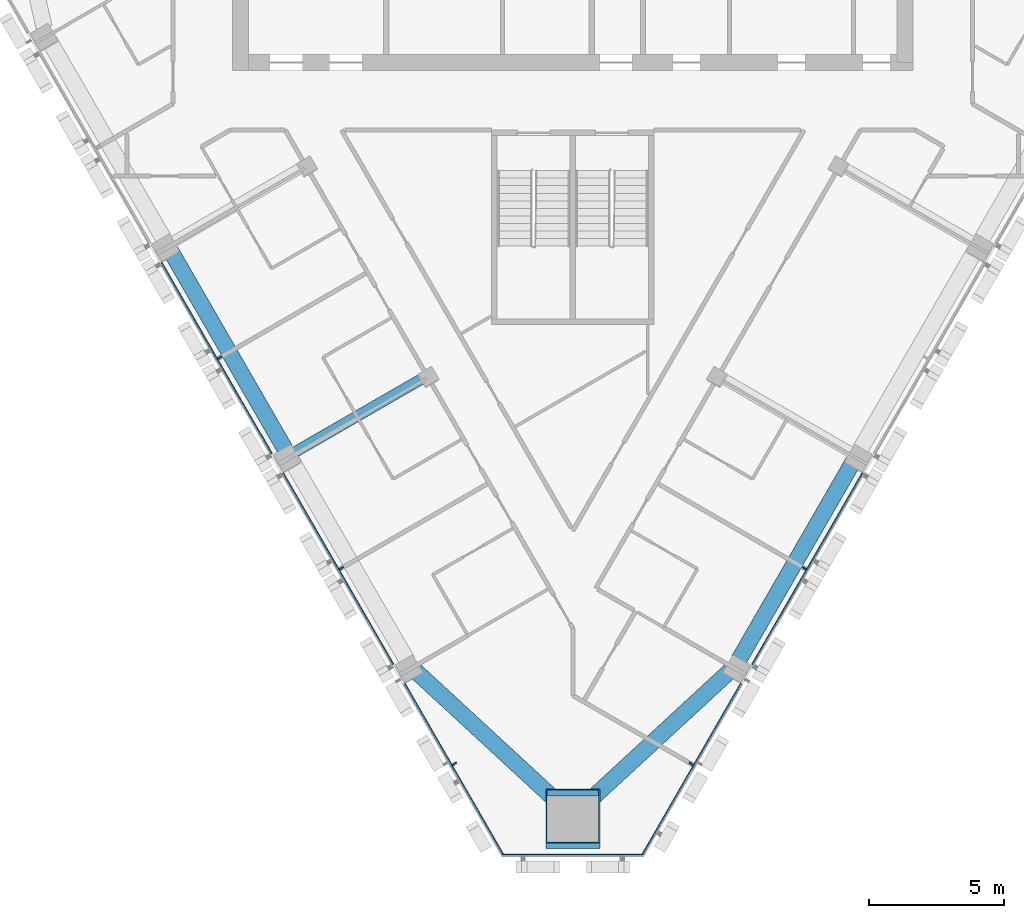
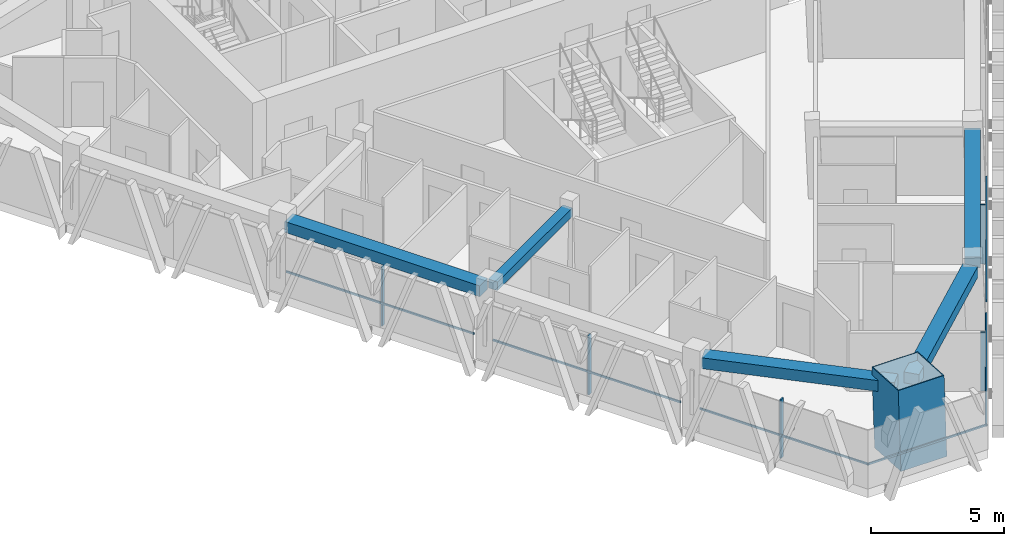
# One storey, part 2 of 15: 12 members, 5 beams, 3 elements without a shape of their own.
"""IFC4 building model written with IfcOpenShell, lengths in metres."""

from ifc_helpers import new_model, si_unit, direction, frame, origin, origin_2d, place, context, subcontext, project, spatial, rectangle, hollow_rectangle, extrude, material, layer, layer_set, material_profile, profile_set, type_object, element, aggregate, save


model = new_model("IFC4")

# Units and contexts
model_context = context("Model", 3, precision=1e-05, world=origin(), true_north=direction((0.0, 1.0)))
body_context = subcontext(model_context, "Body", "Model", "MODEL_VIEW")
ifc_project = project(units=[si_unit("LENGTHUNIT", "METRE"), si_unit("AREAUNIT", "SQUARE_METRE"), si_unit("VOLUMEUNIT", "CUBIC_METRE"), si_unit("PLANEANGLEUNIT", "RADIAN"), si_unit("MASSUNIT", "GRAM", prefix="KILO")], contexts=[model_context])

# Site, building, storey
site_placement = place(None, origin())
site = spatial("IfcSite", under=ifc_project, at=site_placement, CompositionType="ELEMENT")
building_placement = place(site_placement, origin())
building = spatial("IfcBuilding", under=site, at=building_placement, Name="Altiplano Prism Tower", CompositionType="ELEMENT")
storey_placement = place(building_placement, frame((0.0, 0.0, 250.0)))
storey = spatial("IfcBuildingStorey", under=building, at=storey_placement, Name="L64", CompositionType="ELEMENT", Elevation=250.0)

# Curtain wall, members
ifc_material_1 = material(Name="Aluminium and glass", Category="aluminium")
ifc_layer = layer(ifc_material_1, 0.280029296875)
ifc_layer_set = layer_set([ifc_layer], Name="Aluminium and glass")
curtain_wall_type = type_object("IfcCurtainWallType", Name="CW1 typical co-living unitised curtain wall", PredefinedType="NOTDEFINED", material=ifc_layer_set)
curtain_wall_1_placement = place(storey_placement, origin())
curtain_wall_1 = element("IfcCurtainWall", 1, at=curtain_wall_1_placement, inside=storey, type_object=curtain_wall_type, Name="CW1 curtain wall south-west face L64", PredefinedType="NOTDEFINED")
ifc_material_2 = material(Name="Aluminium", Category="aluminium")
ifc_material_profile_1 = material_profile(ifc_material_2, rectangle(XDim=0.179931640625, YDim=0.06494140625, at=origin_2d()), Name="CW1 mullion 65 x 180")
ifc_profile_set_1 = profile_set([ifc_material_profile_1], Name="Aluminium")
member_type_1 = type_object("IfcMemberType", Name="CW1 mullion 65 x 180", PredefinedType="MULLION", material=ifc_profile_set_1)
member_1_placement = place(storey_placement, frame((71.932861328125, 82.17724609375, 0.0), z_axis=(0.0, 0.0, 1.0), x_axis=(0.866025403636, 0.500000000257, 0.0)))
member_1 = element("IfcMember", 2, at=member_1_placement, type_object=member_type_1, Name="CW1 mullion", PredefinedType="MULLION", context=body_context, shape_type="SweptSolid", body=[
    extrude(rectangle(XDim=0.179931640625, YDim=0.06494140625, at=origin_2d()), origin(), (0.0, 0.0, 1.0), 2.699951171875),
])
member_2_placement = place(storey_placement, frame((76.432861328125, 74.3828125, 0.0), z_axis=(0.0, 0.0, 1.0), x_axis=(0.866025403636, 0.500000000257, 0.0)))
member_2 = element("IfcMember", 3, at=member_2_placement, type_object=member_type_1, Name="CW1 mullion", PredefinedType="MULLION", context=body_context, shape_type="SweptSolid", body=[
    extrude(rectangle(XDim=0.179931640625, YDim=0.06494140625, at=origin_2d()), origin(), (0.0, 0.0, 1.0), 2.699951171875),
])
member_3_placement = place(storey_placement, frame((80.61572265625, 67.13818359375, 0.0), z_axis=(0.0, 0.0, 1.0), x_axis=(0.866025403636, 0.500000000257, 0.0)))
member_3 = element("IfcMember", 4, at=member_3_placement, type_object=member_type_1, Name="CW1 mullion", PredefinedType="MULLION", context=body_context, shape_type="SweptSolid", body=[
    extrude(rectangle(XDim=0.179931640625, YDim=0.06494140625, at=origin_2d()), origin(), (0.0, 0.0, 1.0), 2.699951171875),
])

curtain_wall_2_placement = place(storey_placement, origin())
curtain_wall_2 = element("IfcCurtainWall", 5, at=curtain_wall_2_placement, inside=storey, type_object=curtain_wall_type, Name="CW1 curtain wall south-east face L64", PredefinedType="NOTDEFINED")
member_4_placement = place(storey_placement, frame((89.38427734375, 67.13818359375, 0.0), z_axis=(0.0, 0.0, 1.0), x_axis=(-0.866025403636, 0.500000000257, 0.0)))
member_4 = element("IfcMember", 6, at=member_4_placement, type_object=member_type_1, Name="CW1 mullion", PredefinedType="MULLION", context=body_context, shape_type="SweptSolid", body=[
    extrude(rectangle(XDim=0.179931640625, YDim=0.06494140625, at=origin_2d()), origin(), (0.0, 0.0, 1.0), 2.699951171875),
])
member_5_placement = place(storey_placement, frame((93.567138671875, 74.3828125, 0.0), z_axis=(0.0, 0.0, 1.0), x_axis=(-0.866025403636, 0.500000000257, 0.0)))
member_5 = element("IfcMember", 7, at=member_5_placement, type_object=member_type_1, Name="CW1 mullion", PredefinedType="MULLION", context=body_context, shape_type="SweptSolid", body=[
    extrude(rectangle(XDim=0.179931640625, YDim=0.06494140625, at=origin_2d()), origin(), (0.0, 0.0, 1.0), 2.699951171875),
])

# Member
ifc_material_profile_2 = material_profile(ifc_material_2, rectangle(XDim=0.06005859375, YDim=0.080078125, at=origin_2d()), Name="CW1 transom 80 x 60")
ifc_profile_set_2 = profile_set([ifc_material_profile_2], Name="Aluminium")
member_type_2 = type_object("IfcMemberType", Name="CW1 transom 80 x 60", PredefinedType="USERDEFINED", material=ifc_profile_set_2)
member_6_placement = place(storey_placement, frame((69.766845703125, 85.68896484375, 1.10009765625), z_axis=(0.500008722908, -0.866020367552, 0.0), x_axis=(0.866020367552, 0.500008722908, 0.0)))
member_6 = element("IfcMember", 8, at=member_6_placement, type_object=member_type_2, Name="CW1 transom", ObjectType="TRANSOM", PredefinedType="USERDEFINED", context=body_context, shape_type="SweptSolid", body=[
    extrude(rectangle(XDim=0.06005859375, YDim=0.080078125, at=origin_2d()), origin(), (0.0, 0.0, 1.0), 8.169677734375),
])

member_7_placement = place(storey_placement, frame((74.266845703125, 77.894775390625, 1.10009765625), z_axis=(0.500008722908, -0.866020367552, 0.0), x_axis=(0.866020367552, 0.500008722908, 0.0)))
member_7 = element("IfcMember", 9, at=member_7_placement, type_object=member_type_2, Name="CW1 transom", ObjectType="TRANSOM", PredefinedType="USERDEFINED", context=body_context, shape_type="SweptSolid", body=[
    extrude(rectangle(XDim=0.06005859375, YDim=0.080078125, at=origin_2d()), origin(), (0.0, 0.0, 1.0), 8.169677734375),
])

member_8_placement = place(storey_placement, frame((78.766845703125, 70.1005859375, 1.10009765625), z_axis=(0.499994443168, -0.866028611999, 0.0), x_axis=(0.866028611999, 0.499994443168, 0.0)))
member_8 = element("IfcMember", 10, at=member_8_placement, type_object=member_type_2, Name="CW1 transom", ObjectType="TRANSOM", PredefinedType="USERDEFINED", context=body_context, shape_type="SweptSolid", body=[
    extrude(rectangle(XDim=0.06005859375, YDim=0.080078125, at=origin_2d()), origin(), (0.0, 0.0, 1.0), 7.35546875),
])

aggregate(curtain_wall_1, [member_1, member_6, member_2, member_7, member_3, member_8])

# Curtain wall, member
curtain_wall_3_placement = place(storey_placement, origin())
curtain_wall_3 = element("IfcCurtainWall", 11, at=curtain_wall_3_placement, inside=storey, type_object=curtain_wall_type, Name="CW1 curtain wall south chamfer L64", PredefinedType="NOTDEFINED")
member_9_placement = place(storey_placement, frame((82.384033203125, 63.765380859375, 1.10009765625), z_axis=(1.0, 0.0, 0.0), x_axis=(0.0, 1.0, 0.0)))
member_9 = element("IfcMember", 12, at=member_9_placement, type_object=member_type_2, Name="CW1 transom", ObjectType="TRANSOM", PredefinedType="USERDEFINED", context=body_context, shape_type="SweptSolid", body=[
    extrude(rectangle(XDim=0.06005859375, YDim=0.080078125, at=origin_2d()), origin(), (0.0, 0.0, 1.0), 5.23193359375),
])
aggregate(curtain_wall_3, [member_9])

# Member
member_10_placement = place(storey_placement, frame((87.555419921875, 63.73046875, 1.10009765625), z_axis=(0.499994443168, 0.866028611999, 0.0), x_axis=(-0.866028611999, 0.499994443168, 0.0)))
member_10 = element("IfcMember", 13, at=member_10_placement, type_object=member_type_2, Name="CW1 transom", ObjectType="TRANSOM", PredefinedType="USERDEFINED", context=body_context, shape_type="SweptSolid", body=[
    extrude(rectangle(XDim=0.06005859375, YDim=0.080078125, at=origin_2d()), origin(), (0.0, 0.0, 1.0), 7.35546875),
])

member_11_placement = place(storey_placement, frame((91.648193359375, 70.819580078125, 1.10009765625), z_axis=(0.500008722908, 0.866020367552, 0.0), x_axis=(-0.866020367552, 0.500008722908, 0.0)))
member_11 = element("IfcMember", 14, at=member_11_placement, type_object=member_type_2, Name="CW1 transom", ObjectType="TRANSOM", PredefinedType="USERDEFINED", context=body_context, shape_type="SweptSolid", body=[
    extrude(rectangle(XDim=0.06005859375, YDim=0.080078125, at=origin_2d()), origin(), (0.0, 0.0, 1.0), 8.169677734375),
])

aggregate(curtain_wall_2, [member_4, member_10, member_5, member_11])

# Beams
ifc_material_3 = material(Name="Concrete C60/75", Category="concrete")
ifc_material_profile_3 = material_profile(ifc_material_3, rectangle(XDim=0.60009765625, YDim=0.5, at=origin_2d()), Name="Edge beam 600x500")
ifc_profile_set_3 = profile_set([ifc_material_profile_3], Name="Concrete C60/75")
beam_type_1 = type_object("IfcBeamType", Name="Edge beam 600x500", PredefinedType="SPANDREL", material=ifc_profile_set_3)
beam_1_placement = place(storey_placement, frame((70.115478515625, 86.1220703125, 2.949951171875), z_axis=(0.500011199594, -0.866018937599, 0.0), x_axis=(0.866018937599, 0.500011199594, 0.0)))
element("IfcBeam", 15, at=beam_1_placement, inside=storey, type_object=beam_type_1, Name="Edge beam P12-P13 L65", PredefinedType="SPANDREL", context=body_context, shape_type="SweptSolid", body=[
    extrude(rectangle(XDim=0.60009765625, YDim=0.5, at=origin_2d()), origin(), (0.0, 0.0, 1.0), 8.489990234375),
])
for number, where, z_axis, x_axis, name in (
    (16, (79.1884765625, 70.5693359375, 2.949951171875), (0.734871212117, -0.678206680593, 0.0), (0.678206680593, 0.734871212117, 0.0), "Edge beam P14-M1 L65"),
    (17, (85.330810546875, 65.51123046875, 2.949951171875), (0.734871212117, 0.678206680593, 0.0), (-0.678206680593, 0.734871212117, 0.0), "Edge beam M1-P21 L65"),
):
    element("IfcBeam", number, at=place(storey_placement, frame(where, z_axis=z_axis, x_axis=x_axis)), inside=storey, type_object=beam_type_1, Name=name, PredefinedType="SPANDREL", context=body_context, shape_type="SweptSolid", body=[
        extrude(rectangle(XDim=0.60009765625, YDim=0.5, at=origin_2d()), origin(), (0.0, 0.0, 1.0), 7.4580078125),
    ])
beam_2_placement = place(storey_placement, frame((91.139404296875, 70.97509765625, 2.949951171875), z_axis=(0.499998747907, 0.86602612668, 0.0), x_axis=(-0.86602612668, 0.499998747907, 0.0)))
element("IfcBeam", 18, at=beam_2_placement, inside=storey, type_object=beam_type_1, Name="Edge beam P21-P22 L65", PredefinedType="SPANDREL", context=body_context, shape_type="SweptSolid", body=[
    extrude(rectangle(XDim=0.60009765625, YDim=0.5, at=origin_2d()), origin(), (0.0, 0.0, 1.0), 8.490234375),
])

# Member
ifc_material_4 = material(Name="Steel S460", Category="steel")
ifc_material_profile_4 = material_profile(ifc_material_4, hollow_rectangle(XDim=2.0, YDim=2.0, WallThickness=0.0400390625, at=origin_2d()), Name="Mega column tube 2000")
ifc_profile_set_4 = profile_set([ifc_material_profile_4], Name="Steel S460")
member_type_3 = type_object("IfcMemberType", Name="Mega column tube 2000", PredefinedType="POST", material=ifc_profile_set_4)
member_12_placement = place(storey_placement, frame((85.0, 64.99560546875, 0.0), z_axis=(0.0, 0.058289438722, 0.9982997252), x_axis=(-1.0, 0.0, 0.0)))
element("IfcMember", 19, at=member_12_placement, inside=storey, type_object=member_type_3, Name="Mega column tube M1 L64", PredefinedType="POST", context=body_context, shape_type="SweptSolid", body=[
    extrude(hollow_rectangle(XDim=2.0, YDim=2.0, WallThickness=0.0400390625, at=origin_2d()), origin(), (0.0, 0.0, 1.0), 3.606201171875),
])

# Beam
ifc_material_profile_5 = material_profile(ifc_material_3, rectangle(XDim=0.39990234375, YDim=0.39990234375, at=origin_2d()), Name="Tie beam 400x400")
ifc_profile_set_5 = profile_set([ifc_material_profile_5], Name="Concrete C60/75")
beam_type_2 = type_object("IfcBeamType", Name="Tie beam 400x400", PredefinedType="BEAM", material=ifc_profile_set_5)
beam_3_placement = place(storey_placement, frame((79.59326171875, 81.49609375, 3.0), z_axis=(-0.866015459562, -0.500017223503, 0.0), x_axis=(0.500017223503, -0.866015459562, 0.0)))
element("IfcBeam", 20, at=beam_3_placement, inside=storey, type_object=beam_type_2, Name="Tie beam I13 L65", PredefinedType="BEAM", context=body_context, shape_type="SweptSolid", body=[
    extrude(rectangle(XDim=0.39990234375, YDim=0.39990234375, at=origin_2d()), origin(), (0.0, 0.0, 1.0), 5.639892578125),
])

save(model, "model.ifc")
